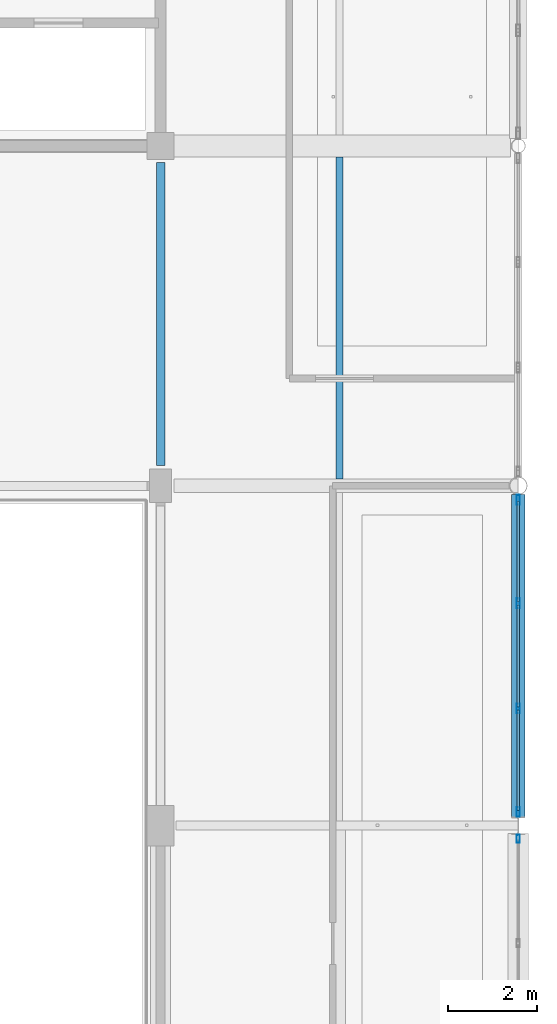
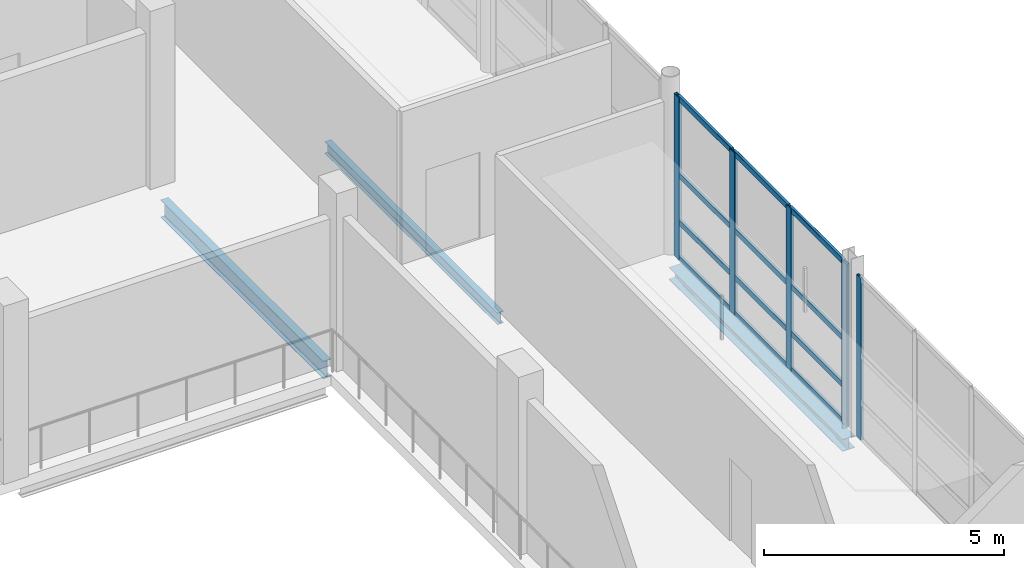
# One storey, part 40 of 107: 17 members, 3 beams, 2 elements without a shape of their own.
"""IFC4 building model written with IfcOpenShell, lengths in metres."""

from ifc_helpers import new_model, si_unit, direction, frame, origin, origin_2d, place, context, subcontext, project, spatial, hollow_rectangle, i_section, extrude, material, material_profile, profile_set, type_object, element, aggregate, save


model = new_model("IFC4")

# Units and contexts
model_context = context("Model", 3, precision=1e-05, world=origin(), true_north=direction((0.0, 1.0)))
body_context = subcontext(model_context, "Body", "Model", "MODEL_VIEW")
ifc_project = project(units=[si_unit("LENGTHUNIT", "METRE"), si_unit("AREAUNIT", "SQUARE_METRE"), si_unit("VOLUMEUNIT", "CUBIC_METRE"), si_unit("PLANEANGLEUNIT", "RADIAN"), si_unit("MASSUNIT", "GRAM", prefix="KILO")], contexts=[model_context])

# Site, building, storey
site_placement = place(None, origin())
site = spatial("IfcSite", under=ifc_project, at=site_placement, CompositionType="ELEMENT")
building_placement = place(site_placement, origin())
building = spatial("IfcBuilding", under=site, at=building_placement, Name="Khelvaren Railside Concert Hall", CompositionType="ELEMENT")
storey_placement = place(building_placement, frame((0.0, 0.0, 15.0)))
storey = spatial("IfcBuildingStorey", under=building, at=storey_placement, Name="L03", CompositionType="ELEMENT", Elevation=15.0)

# Beam
ifc_material_1 = material(Name="Steel S355", Category="steel")
ifc_material_profile_1 = material_profile(ifc_material_1, i_section(OverallWidth=0.18994140625, OverallDepth=0.449951171875, WebThickness=0.009521484375, FlangeThickness=0.0146484375, FilletRadius=0.02099609375, at=origin_2d()), Name="IPE 450")
ifc_profile_set_1 = profile_set([ifc_material_profile_1], Name="Steel S355")
beam_type_1 = type_object("IfcBeamType", Name="BM95", PredefinedType="BEAM", material=ifc_profile_set_1)
beam_1_placement = place(storey_placement, frame((176.0, 23.25, -0.5048828125), z_axis=(0.0, 1.0, 0.0), x_axis=(-1.0, 0.0, 0.0)))
element("IfcBeam", 1, at=beam_1_placement, inside=storey, type_object=beam_type_1, Name="V2 L03 Beam Y5.4", PredefinedType="BEAM", context=body_context, shape_type="SweptSolid", body=[
    extrude(i_section(OverallWidth=0.18994140625, OverallDepth=0.449951171875, WebThickness=0.009521484375, FlangeThickness=0.0146484375, FilletRadius=0.02099609375, at=origin_2d()), origin(), (0.0, 0.0, 1.0), 6.77490234375),
])

# Curtain wall, members
ifc_material_2 = material(Name="Double-glazed clear foyer glass", Category="glass")
curtain_wall_type_1 = type_object("IfcCurtainWallType", Name="CW70", PredefinedType="USERDEFINED", material=ifc_material_2)
curtain_wall_1_placement = place(storey_placement, origin())
curtain_wall_1 = element("IfcCurtainWall", 2, at=curtain_wall_1_placement, inside=storey, type_object=curtain_wall_type_1, Name="Unitised Curtain Wall CW-V2-L03-E-15", ObjectType="UNITISED CURTAIN WALL", PredefinedType="USERDEFINED")
ifc_material_3 = material(Name="Anodised architectural aluminium 6063-T6", Category="aluminium")
ifc_material_profile_2 = material_profile(ifc_material_3, hollow_rectangle(XDim=0.074951171875, YDim=0.219970703125, WallThickness=0.0048828125, InnerFilletRadius=0.0029296875, OuterFilletRadius=0.0048828125, at=origin_2d()), Name="CWM 75x220x5")
ifc_profile_set_2 = profile_set([ifc_material_profile_2], Name="Anodised architectural aluminium 6063-T6")
member_type_1 = type_object("IfcMemberType", Name="CWM13", PredefinedType="MULLION", material=ifc_profile_set_2)
member_1_placement = place(storey_placement, frame((184.0, 22.48681640625, 0.0), z_axis=(0.0, 0.0, 1.0), x_axis=(1.0, 0.0, 0.0)))
member_1 = element("IfcMember", 3, at=member_1_placement, type_object=member_type_1, Name="CW70 mullion 1", PredefinedType="MULLION", context=body_context, shape_type="SweptSolid", body=[
    extrude(hollow_rectangle(XDim=0.074951171875, YDim=0.219970703125, WallThickness=0.0048828125, InnerFilletRadius=0.0029296875, OuterFilletRadius=0.0048828125, at=origin_2d()), origin(), (0.0, 0.0, 1.0), 4.1201171875),
])
member_2_placement = place(storey_placement, frame((184.0, 20.172119140625, 0.0), z_axis=(0.0, 0.0, 1.0), x_axis=(1.0, 0.0, 0.0)))
member_2 = element("IfcMember", 4, at=member_2_placement, type_object=member_type_1, Name="CW70 mullion 2", PredefinedType="MULLION", context=body_context, shape_type="SweptSolid", body=[
    extrude(hollow_rectangle(XDim=0.074951171875, YDim=0.219970703125, WallThickness=0.0048828125, InnerFilletRadius=0.0029296875, OuterFilletRadius=0.0048828125, at=origin_2d()), origin(), (0.0, 0.0, 1.0), 4.1201171875),
])
member_3_placement = place(storey_placement, frame((184.0, 17.81982421875, 0.0), z_axis=(0.0, 0.0, 1.0), x_axis=(1.0, 0.0, 0.0)))
member_3 = element("IfcMember", 5, at=member_3_placement, type_object=member_type_1, Name="CW70 mullion 3", PredefinedType="MULLION", context=body_context, shape_type="SweptSolid", body=[
    extrude(hollow_rectangle(XDim=0.074951171875, YDim=0.219970703125, WallThickness=0.0048828125, InnerFilletRadius=0.0029296875, OuterFilletRadius=0.0048828125, at=origin_2d()), origin(), (0.0, 0.0, 1.0), 4.1201171875),
])
member_4_placement = place(storey_placement, frame((184.0, 15.5048828125, 0.0), z_axis=(0.0, 0.0, 1.0), x_axis=(1.0, 0.0, 0.0)))
member_4 = element("IfcMember", 6, at=member_4_placement, type_object=member_type_1, Name="CW70 mullion 4", PredefinedType="MULLION", context=body_context, shape_type="SweptSolid", body=[
    extrude(hollow_rectangle(XDim=0.074951171875, YDim=0.219970703125, WallThickness=0.0048828125, InnerFilletRadius=0.0029296875, OuterFilletRadius=0.0048828125, at=origin_2d()), origin(), (0.0, 0.0, 1.0), 4.1201171875),
])

# Curtain wall, member
ifc_material_4 = material(Name="Double-glazed low-E dark acoustic glass", Category="glass")
curtain_wall_type_2 = type_object("IfcCurtainWallType", Name="CW69", PredefinedType="USERDEFINED", material=ifc_material_4)
curtain_wall_2_placement = place(storey_placement, origin())
curtain_wall_2 = element("IfcCurtainWall", 7, at=curtain_wall_2_placement, inside=storey, type_object=curtain_wall_type_2, Name="Unitised Curtain Wall CW-V2-L03-E-8", ObjectType="UNITISED CURTAIN WALL", PredefinedType="USERDEFINED")
ifc_material_profile_3 = material_profile(ifc_material_3, hollow_rectangle(XDim=0.06494140625, YDim=0.179931640625, WallThickness=0.00390625, InnerFilletRadius=0.001953125, OuterFilletRadius=0.00390625, at=origin_2d()), Name="CWM 65x180x4")
ifc_profile_set_3 = profile_set([ifc_material_profile_3], Name="Anodised architectural aluminium 6063-T6")
member_type_2 = type_object("IfcMemberType", Name="CWM63", PredefinedType="MULLION", material=ifc_profile_set_3)
member_5_placement = place(storey_placement, frame((184.0, 14.905029296875, 0.0), z_axis=(0.0, 0.0, 1.0), x_axis=(1.0, 0.0, 0.0)))
member_5 = element("IfcMember", 8, at=member_5_placement, type_object=member_type_2, Name="CW69 mullion 1", PredefinedType="MULLION", context=body_context, shape_type="SweptSolid", body=[
    extrude(hollow_rectangle(XDim=0.06494140625, YDim=0.179931640625, WallThickness=0.00390625, InnerFilletRadius=0.001953125, OuterFilletRadius=0.00390625, at=origin_2d()), origin(), (0.0, 0.0, 1.0), 4.1201171875),
])
aggregate(curtain_wall_2, [member_5])

# Member
ifc_material_profile_4 = material_profile(ifc_material_3, hollow_rectangle(XDim=0.06494140625, YDim=0.139892578125, WallThickness=0.00390625, InnerFilletRadius=0.001953125, OuterFilletRadius=0.00390625, at=origin_2d()), Name="CWT 65x140x4")
ifc_profile_set_4 = profile_set([ifc_material_profile_4], Name="Anodised architectural aluminium 6063-T6")
member_type_3 = type_object("IfcMemberType", Name="CWT72", PredefinedType="USERDEFINED", material=ifc_profile_set_4)
member_6_placement = place(storey_placement, frame((184.0, 22.44921875, 0.032470703125), z_axis=(0.0, -1.0, 0.0), x_axis=(1.0, 0.0, 0.0)))
member_6 = element("IfcMember", 9, at=member_6_placement, type_object=member_type_3, Name="CW70 transom 1.1", ObjectType="TRANSOM", PredefinedType="USERDEFINED", context=body_context, shape_type="SweptSolid", body=[
    extrude(hollow_rectangle(XDim=0.06494140625, YDim=0.139892578125, WallThickness=0.00390625, InnerFilletRadius=0.001953125, OuterFilletRadius=0.00390625, at=origin_2d()), origin(), (0.0, 0.0, 1.0), 2.23974609375),
])

member_7_placement = place(storey_placement, frame((184.0, 22.44921875, 0.949951171875), z_axis=(0.0, -1.0, 0.0), x_axis=(1.0, 0.0, 0.0)))
member_7 = element("IfcMember", 10, at=member_7_placement, type_object=member_type_3, Name="CW70 transom 1.2", ObjectType="TRANSOM", PredefinedType="USERDEFINED", context=body_context, shape_type="SweptSolid", body=[
    extrude(hollow_rectangle(XDim=0.06494140625, YDim=0.139892578125, WallThickness=0.00390625, InnerFilletRadius=0.001953125, OuterFilletRadius=0.00390625, at=origin_2d()), origin(), (0.0, 0.0, 1.0), 2.23974609375),
])

member_8_placement = place(storey_placement, frame((184.0, 22.44921875, 2.142333984375), z_axis=(0.0, -1.0, 0.0), x_axis=(1.0, 0.0, 0.0)))
member_8 = element("IfcMember", 11, at=member_8_placement, type_object=member_type_3, Name="CW70 transom 1.3", ObjectType="TRANSOM", PredefinedType="USERDEFINED", context=body_context, shape_type="SweptSolid", body=[
    extrude(hollow_rectangle(XDim=0.06494140625, YDim=0.139892578125, WallThickness=0.00390625, InnerFilletRadius=0.001953125, OuterFilletRadius=0.00390625, at=origin_2d()), origin(), (0.0, 0.0, 1.0), 2.23974609375),
])

member_9_placement = place(storey_placement, frame((184.0, 22.44921875, 4.08740234375), z_axis=(0.0, -1.0, 0.0), x_axis=(1.0, 0.0, 0.0)))
member_9 = element("IfcMember", 12, at=member_9_placement, type_object=member_type_3, Name="CW70 transom 1.4", ObjectType="TRANSOM", PredefinedType="USERDEFINED", context=body_context, shape_type="SweptSolid", body=[
    extrude(hollow_rectangle(XDim=0.06494140625, YDim=0.139892578125, WallThickness=0.00390625, InnerFilletRadius=0.001953125, OuterFilletRadius=0.00390625, at=origin_2d()), origin(), (0.0, 0.0, 1.0), 2.23974609375),
])

member_10_placement = place(storey_placement, frame((184.0, 20.134521484375, 0.032470703125), z_axis=(0.0, -1.0, 0.0), x_axis=(1.0, 0.0, 0.0)))
member_10 = element("IfcMember", 13, at=member_10_placement, type_object=member_type_3, Name="CW70 transom 2.1", ObjectType="TRANSOM", PredefinedType="USERDEFINED", context=body_context, shape_type="SweptSolid", body=[
    extrude(hollow_rectangle(XDim=0.06494140625, YDim=0.139892578125, WallThickness=0.00390625, InnerFilletRadius=0.001953125, OuterFilletRadius=0.00390625, at=origin_2d()), origin(), (0.0, 0.0, 1.0), 2.27734375),
])

member_11_placement = place(storey_placement, frame((184.0, 20.134521484375, 0.949951171875), z_axis=(0.0, -1.0, 0.0), x_axis=(1.0, 0.0, 0.0)))
member_11 = element("IfcMember", 14, at=member_11_placement, type_object=member_type_3, Name="CW70 transom 2.2", ObjectType="TRANSOM", PredefinedType="USERDEFINED", context=body_context, shape_type="SweptSolid", body=[
    extrude(hollow_rectangle(XDim=0.06494140625, YDim=0.139892578125, WallThickness=0.00390625, InnerFilletRadius=0.001953125, OuterFilletRadius=0.00390625, at=origin_2d()), origin(), (0.0, 0.0, 1.0), 2.27734375),
])

member_12_placement = place(storey_placement, frame((184.0, 20.134521484375, 2.142333984375), z_axis=(0.0, -1.0, 0.0), x_axis=(1.0, 0.0, 0.0)))
member_12 = element("IfcMember", 15, at=member_12_placement, type_object=member_type_3, Name="CW70 transom 2.3", ObjectType="TRANSOM", PredefinedType="USERDEFINED", context=body_context, shape_type="SweptSolid", body=[
    extrude(hollow_rectangle(XDim=0.06494140625, YDim=0.139892578125, WallThickness=0.00390625, InnerFilletRadius=0.001953125, OuterFilletRadius=0.00390625, at=origin_2d()), origin(), (0.0, 0.0, 1.0), 2.27734375),
])

member_13_placement = place(storey_placement, frame((184.0, 20.134521484375, 4.08740234375), z_axis=(0.0, -1.0, 0.0), x_axis=(1.0, 0.0, 0.0)))
member_13 = element("IfcMember", 16, at=member_13_placement, type_object=member_type_3, Name="CW70 transom 2.4", ObjectType="TRANSOM", PredefinedType="USERDEFINED", context=body_context, shape_type="SweptSolid", body=[
    extrude(hollow_rectangle(XDim=0.06494140625, YDim=0.139892578125, WallThickness=0.00390625, InnerFilletRadius=0.001953125, OuterFilletRadius=0.00390625, at=origin_2d()), origin(), (0.0, 0.0, 1.0), 2.27734375),
])

member_14_placement = place(storey_placement, frame((184.0, 17.7822265625, 0.032470703125), z_axis=(0.0, -1.0, 0.0), x_axis=(1.0, 0.0, 0.0)))
member_14 = element("IfcMember", 17, at=member_14_placement, type_object=member_type_3, Name="CW70 transom 3.1", ObjectType="TRANSOM", PredefinedType="USERDEFINED", context=body_context, shape_type="SweptSolid", body=[
    extrude(hollow_rectangle(XDim=0.06494140625, YDim=0.139892578125, WallThickness=0.00390625, InnerFilletRadius=0.001953125, OuterFilletRadius=0.00390625, at=origin_2d()), origin(), (0.0, 0.0, 1.0), 2.23974609375),
])

member_15_placement = place(storey_placement, frame((184.0, 17.7822265625, 0.949951171875), z_axis=(0.0, -1.0, 0.0), x_axis=(1.0, 0.0, 0.0)))
member_15 = element("IfcMember", 18, at=member_15_placement, type_object=member_type_3, Name="CW70 transom 3.2", ObjectType="TRANSOM", PredefinedType="USERDEFINED", context=body_context, shape_type="SweptSolid", body=[
    extrude(hollow_rectangle(XDim=0.06494140625, YDim=0.139892578125, WallThickness=0.00390625, InnerFilletRadius=0.001953125, OuterFilletRadius=0.00390625, at=origin_2d()), origin(), (0.0, 0.0, 1.0), 2.23974609375),
])

member_16_placement = place(storey_placement, frame((184.0, 17.7822265625, 2.142333984375), z_axis=(0.0, -1.0, 0.0), x_axis=(1.0, 0.0, 0.0)))
member_16 = element("IfcMember", 19, at=member_16_placement, type_object=member_type_3, Name="CW70 transom 3.3", ObjectType="TRANSOM", PredefinedType="USERDEFINED", context=body_context, shape_type="SweptSolid", body=[
    extrude(hollow_rectangle(XDim=0.06494140625, YDim=0.139892578125, WallThickness=0.00390625, InnerFilletRadius=0.001953125, OuterFilletRadius=0.00390625, at=origin_2d()), origin(), (0.0, 0.0, 1.0), 2.23974609375),
])

member_17_placement = place(storey_placement, frame((184.0, 17.7822265625, 4.08740234375), z_axis=(0.0, -1.0, 0.0), x_axis=(1.0, 0.0, 0.0)))
member_17 = element("IfcMember", 20, at=member_17_placement, type_object=member_type_3, Name="CW70 transom 3.4", ObjectType="TRANSOM", PredefinedType="USERDEFINED", context=body_context, shape_type="SweptSolid", body=[
    extrude(hollow_rectangle(XDim=0.06494140625, YDim=0.139892578125, WallThickness=0.00390625, InnerFilletRadius=0.001953125, OuterFilletRadius=0.00390625, at=origin_2d()), origin(), (0.0, 0.0, 1.0), 2.23974609375),
])

aggregate(curtain_wall_1, [member_1, member_2, member_3, member_4, member_6, member_7, member_8, member_9, member_10, member_11, member_12, member_13, member_14, member_15, member_16, member_17])

# Beams
ifc_material_profile_5 = material_profile(ifc_material_1, i_section(OverallWidth=0.14990234375, OverallDepth=0.300048828125, WebThickness=0.007080078125, FlangeThickness=0.0107421875, FilletRadius=0.014892578125, at=origin_2d()), Name="IPE 300")
ifc_profile_set_5 = profile_set([ifc_material_profile_5], Name="Steel S355")
beam_type_2 = type_object("IfcBeamType", Name="JS26", PredefinedType="JOIST", material=ifc_profile_set_5)
beam_2_placement = place(storey_placement, frame((180.0, 22.949951171875, -0.429931640625), z_axis=(0.0, 1.0, 0.0), x_axis=(-1.0, 0.0, 0.0)))
element("IfcBeam", 21, at=beam_2_placement, inside=storey, type_object=beam_type_2, Name="V2 L03 Secondary Joist 5.4", PredefinedType="JOIST", context=body_context, shape_type="SweptSolid", body=[
    extrude(i_section(OverallWidth=0.14990234375, OverallDepth=0.300048828125, WebThickness=0.007080078125, FlangeThickness=0.0107421875, FilletRadius=0.014892578125, at=origin_2d()), origin(), (0.0, 0.0, 1.0), 7.199951171875),
])
ifc_material_profile_6 = material_profile(ifc_material_1, i_section(OverallWidth=0.300048828125, OverallDepth=0.31005859375, WebThickness=0.009033203125, FlangeThickness=0.015380859375, FilletRadius=0.027099609375, at=origin_2d()), Name="HEA 320")
ifc_profile_set_6 = profile_set([ifc_material_profile_6], Name="Steel S355")
beam_type_3 = type_object("IfcBeamType", Name="SP66", PredefinedType="SPANDREL", material=ifc_profile_set_6)
beam_3_placement = place(storey_placement, frame((184.0, 15.3798828125, -0.43505859375), z_axis=(0.0, 1.0, 0.0), x_axis=(-1.0, 0.0, 0.0)))
element("IfcBeam", 22, at=beam_3_placement, inside=storey, type_object=beam_type_3, Name="V2 L03 Spandrel Y6.3", PredefinedType="SPANDREL", context=body_context, shape_type="SweptSolid", body=[
    extrude(i_section(OverallWidth=0.300048828125, OverallDepth=0.31005859375, WebThickness=0.009033203125, FlangeThickness=0.015380859375, FilletRadius=0.027099609375, at=origin_2d()), origin(), (0.0, 0.0, 1.0), 7.22509765625),
])

save(model, "model.ifc")
